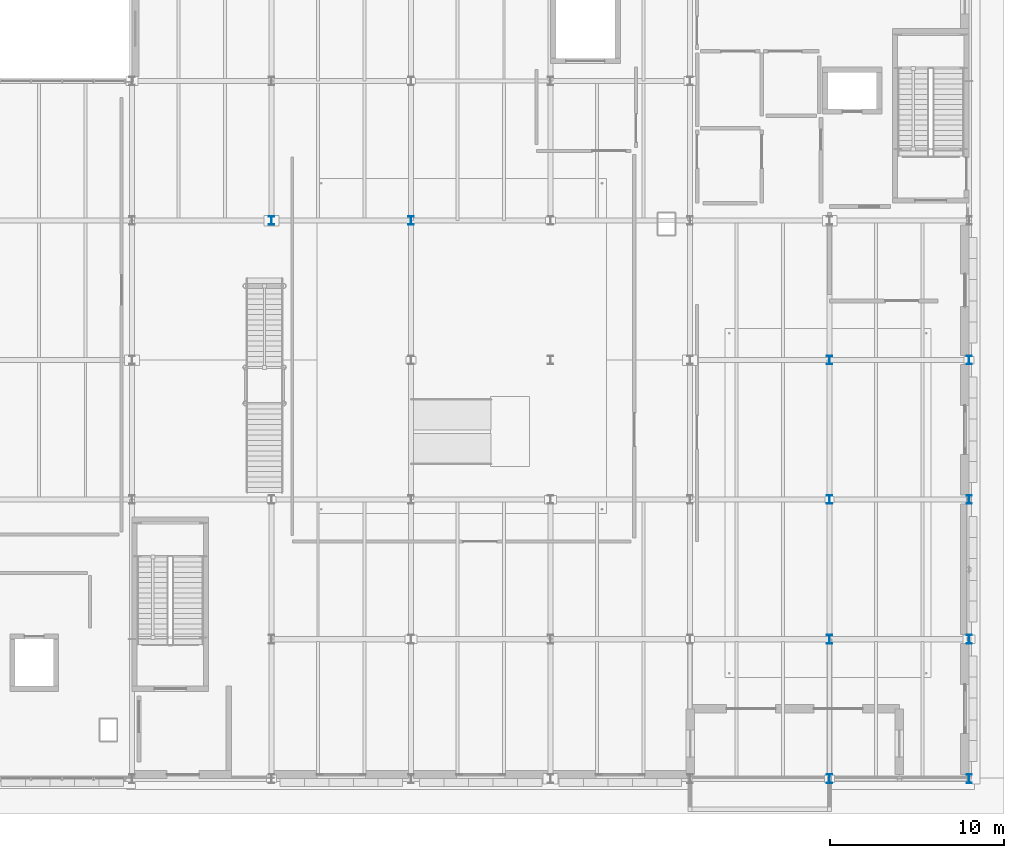
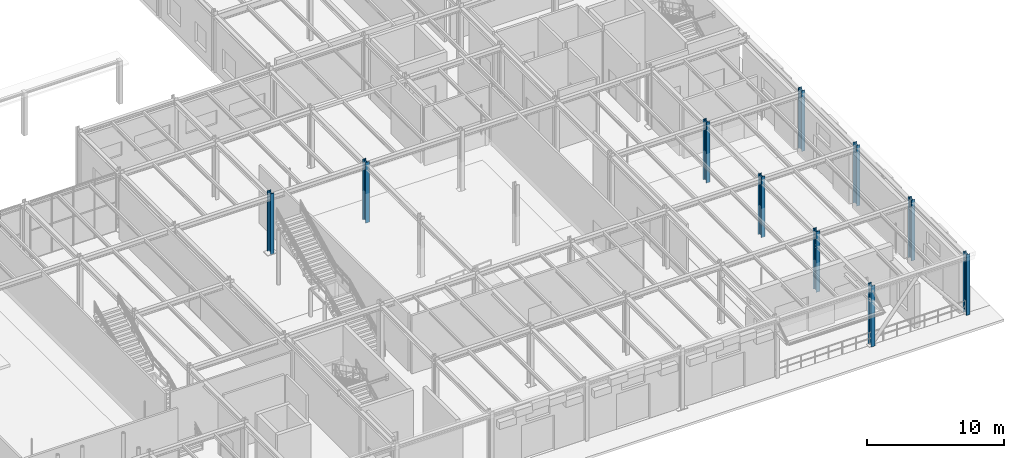
# One storey, part 19 of 129: 10 columns.
"""IFC4 building model written with IfcOpenShell, lengths in metres."""

from ifc_helpers import new_model, si_unit, direction, frame, origin, origin_2d, place, context, subcontext, project, spatial, i_section, extrude, material, material_profile, profile_set, type_object, element, save


model = new_model("IFC4")

# Units and contexts
model_context = context("Model", 3, precision=1e-05, world=origin(), true_north=direction((0.0, 1.0)))
body_context = subcontext(model_context, "Body", "Model", "MODEL_VIEW")
ifc_project = project(units=[si_unit("LENGTHUNIT", "METRE"), si_unit("AREAUNIT", "SQUARE_METRE"), si_unit("VOLUMEUNIT", "CUBIC_METRE"), si_unit("PLANEANGLEUNIT", "RADIAN"), si_unit("MASSUNIT", "GRAM", prefix="KILO")], contexts=[model_context])

# Site, building, storey
site_placement = place(None, origin())
site = spatial("IfcSite", under=ifc_project, at=site_placement, CompositionType="ELEMENT")
building_placement = place(site_placement, origin())
building = spatial("IfcBuilding", under=site, at=building_placement, Name="Sundkrona Museum", CompositionType="ELEMENT")
storey_placement = place(building_placement, origin())
storey = spatial("IfcBuildingStorey", under=building, at=storey_placement, Name="L00", CompositionType="ELEMENT", Elevation=0.0)

# Columns
ifc_material = material(Name="Steel S355J2", Category="steel")
ifc_material_profile = material_profile(ifc_material, i_section(OverallWidth=0.300048828125, OverallDepth=0.5, WebThickness=0.014404296875, FlangeThickness=0.028076171875, FilletRadius=0.027099609375, at=origin_2d()), Name="HEB 500")
ifc_profile_set = profile_set([ifc_material_profile], Name="Steel S355J2")
column_type = type_object("IfcColumnType", Name="C-HEB500", PredefinedType="COLUMN", material=ifc_profile_set)
for number, where, z_axis, x_axis, name in (
    (1, (128.0, 32.0, 0.0), (0.0, 0.0, 1.0), (1.0, 0.0, 0.0), "L00 Column E/17"),
    (2, (136.0, 32.0, 0.0), (0.0, 0.0, 1.0), (1.0, 0.0, 0.0), "L00 Column E/18"),
    (3, (160.0, 0.0, 0.0), (0.0, 0.0, 1.0), (1.0, 0.0, 0.0), "L00 Column A/21"),
    (4, (160.0, 8.0, 0.0), (0.0, 0.0, 1.0), (1.0, 0.0, 0.0), "L00 Column B/21"),
    (5, (160.0, 16.0, 0.0), (0.0, 0.0, 1.0), (1.0, 0.0, 0.0), "L00 Column C/21"),
    (6, (160.0, 24.0, 0.0), (0.0, 0.0, 1.0), (1.0, 0.0, 0.0), "L00 Column D/21"),
    (7, (168.0, 0.0, 0.0), (0.0, 0.0, 1.0), (1.0, 0.0, 0.0), "L00 Column A/22"),
    (8, (168.0, 8.0, 0.0), (0.0, 0.0, 1.0), (1.0, 0.0, 0.0), "L00 Column B/22"),
    (9, (168.0, 16.0, 0.0), (0.0, 0.0, 1.0), (1.0, 0.0, 0.0), "L00 Column C/22"),
    (10, (168.0, 24.0, 0.0), (0.0, 0.0, 1.0), (1.0, 0.0, 0.0), "L00 Column D/22"),
):
    element("IfcColumn", number, at=place(storey_placement, frame(where, z_axis=z_axis, x_axis=x_axis)), inside=storey, type_object=column_type, Name=name, PredefinedType="COLUMN", context=body_context, shape_type="SweptSolid", body=[
        extrude(i_section(OverallWidth=0.300048828125, OverallDepth=0.5, WebThickness=0.014404296875, FlangeThickness=0.028076171875, FilletRadius=0.027099609375, at=origin_2d()), origin(), (0.0, 0.0, 1.0), 5.39990234375),
    ])

save(model, "model.ifc")
